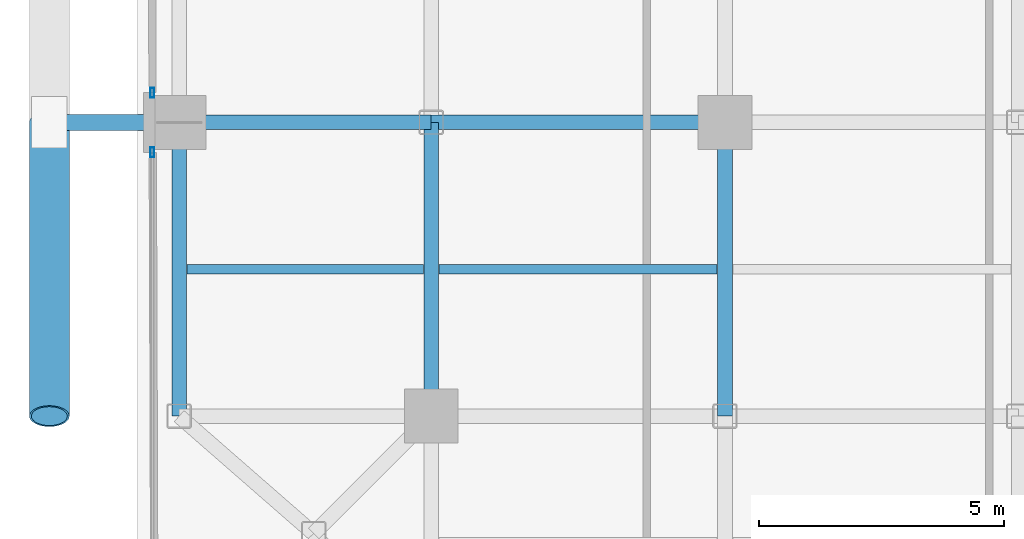
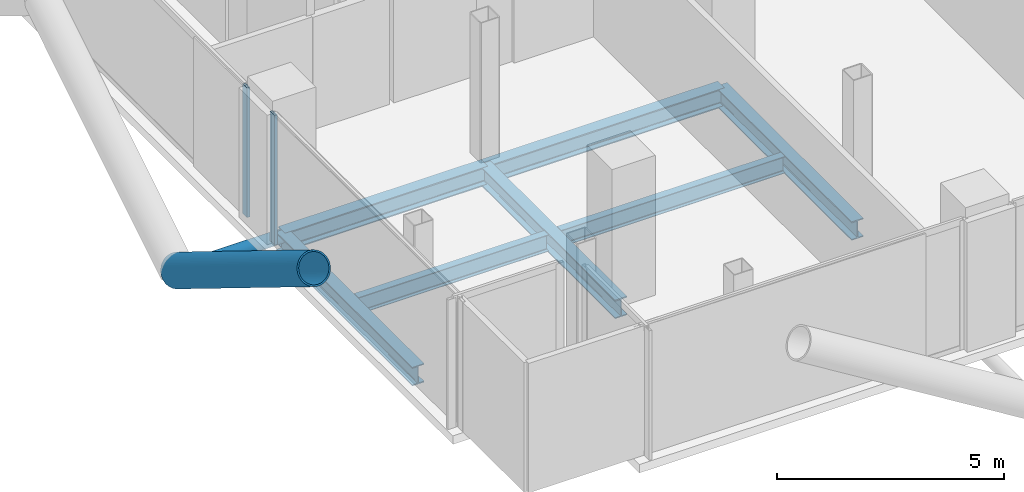
# One storey, part 3 of 28: 7 beams, 4 members, 2 elements without a shape of their own.
"""IFC4 building model written with IfcOpenShell, lengths in metres."""

from ifc_helpers import new_model, si_unit, direction, frame, origin, origin_2d, place, context, subcontext, project, spatial, hollow_rectangle, hollow_circle, i_section, extrude, material, layer, layer_set, material_profile, profile_set, type_object, element, aggregate, save


model = new_model("IFC4")

# Units and contexts
model_context = context("Model", 3, precision=1e-05, world=origin(), true_north=direction((0.0, 1.0)))
body_context = subcontext(model_context, "Body", "Model", "MODEL_VIEW")
ifc_project = project(units=[si_unit("LENGTHUNIT", "METRE"), si_unit("AREAUNIT", "SQUARE_METRE"), si_unit("VOLUMEUNIT", "CUBIC_METRE"), si_unit("PLANEANGLEUNIT", "RADIAN"), si_unit("MASSUNIT", "GRAM", prefix="KILO"), si_unit("THERMODYNAMICTEMPERATUREUNIT", "KELVIN"), si_unit("POWERUNIT", "WATT")], contexts=[model_context])

# Site, building, storey
site_placement = place(None, origin())
site = spatial("IfcSite", under=ifc_project, at=site_placement, CompositionType="ELEMENT")
building_placement = place(site_placement, origin())
building = spatial("IfcBuilding", under=site, at=building_placement, Name="Svarakhadi Broadcast Tower", CompositionType="ELEMENT")
storey_placement = place(building_placement, frame((0.0, 0.0, 107.10009765625)))
storey = spatial("IfcBuildingStorey", under=building, at=storey_placement, Name="L25", CompositionType="ELEMENT", Elevation=107.10009765625)

# Beams
ifc_material_1 = material(Name="Steel S355J2 (IS 2062 E350C)", Category="steel")
ifc_material_profile_1 = material_profile(ifc_material_1, i_section(OverallWidth=0.18994140625, OverallDepth=0.449951171875, WebThickness=0.009521484375, FlangeThickness=0.0146484375, FilletRadius=0.02099609375, at=origin_2d()), Name="NPB 450x190x78")
ifc_profile_set_1 = profile_set([ifc_material_profile_1], Name="Steel S355J2 (IS 2062 E350C)")
beam_type_1 = type_object("IfcBeamType", Name="Beam_NPB450", PredefinedType="BEAM", material=ifc_profile_set_1)
beam_1_placement = place(storey_placement, frame((1.010009765625, 9.0, -0.4501953125), z_axis=(1.0, 0.0, 0.0), x_axis=(0.0, 1.0, 0.0)))
element("IfcBeam", 1, at=beam_1_placement, inside=storey, type_object=beam_type_1, Name="L25 Secondary Composite Beam SB001", PredefinedType="BEAM", context=body_context, shape_type="SweptSolid", body=[
    extrude(i_section(OverallWidth=0.18994140625, OverallDepth=0.449951171875, WebThickness=0.009521484375, FlangeThickness=0.0146484375, FilletRadius=0.02099609375, at=origin_2d()), origin(), (0.0, 0.0, 1.0), 4.830078125),
])
beam_2_placement = place(storey_placement, frame((6.159912109375, 9.0, -0.4501953125), z_axis=(1.0, 0.0, 0.0), x_axis=(0.0, 1.0, 0.0)))
element("IfcBeam", 2, at=beam_2_placement, inside=storey, type_object=beam_type_1, Name="L25 Secondary Composite Beam SB007", PredefinedType="BEAM", context=body_context, shape_type="SweptSolid", body=[
    extrude(i_section(OverallWidth=0.18994140625, OverallDepth=0.449951171875, WebThickness=0.009521484375, FlangeThickness=0.0146484375, FilletRadius=0.02099609375, at=origin_2d()), origin(), (0.0, 0.0, 1.0), 5.68017578125),
])

# Curtain wall, member
ifc_material_2 = material(Name="Anodised Bronze Aluminium AA 6063-T6", Category="aluminium")
ifc_layer = layer(ifc_material_2, 0.199951171875)
ifc_layer_set = layer_set([ifc_layer], Name="Anodised Bronze Aluminium AA 6063-T6")
curtain_wall_type = type_object("IfcCurtainWallType", Name="CW_Sys_03", PredefinedType="NOTDEFINED", material=ifc_layer_set)
curtain_wall_1_placement = place(storey_placement, origin())
curtain_wall_1 = element("IfcCurtainWall", 3, at=curtain_wall_1_placement, inside=storey, type_object=curtain_wall_type, Name="L25 West Curtain Wall 02 Bay 1", PredefinedType="NOTDEFINED")
ifc_material_profile_2 = material_profile(ifc_material_2, hollow_rectangle(XDim=0.074951171875, YDim=0.199951171875, WallThickness=0.005615234375, at=origin_2d()), Name="ALU MULLION 200x75x6")
ifc_profile_set_2 = profile_set([ifc_material_profile_2], Name="Anodised Bronze Aluminium AA 6063-T6")
member_type_1 = type_object("IfcMemberType", Name="CW_Sys_03_Mul", PredefinedType="MULLION", material=ifc_profile_set_2)
member_1_placement = place(storey_placement, frame((0.300048828125, 11.392578125, 0.0), z_axis=(0.0, 0.0, 1.0), x_axis=(-1.0, 0.0, 0.0)))
member_1 = element("IfcMember", 4, at=member_1_placement, type_object=member_type_1, Name="CW-03 mullion 2", PredefinedType="MULLION", context=body_context, shape_type="SweptSolid", body=[
    extrude(hollow_rectangle(XDim=0.074951171875, YDim=0.199951171875, WallThickness=0.005615234375, at=origin_2d()), origin(), (0.0, 0.0, 1.0), 3.474853515625),
])
aggregate(curtain_wall_1, [member_1])

curtain_wall_2_placement = place(storey_placement, origin())
curtain_wall_2 = element("IfcCurtainWall", 5, at=curtain_wall_2_placement, inside=storey, type_object=curtain_wall_type, Name="L25 West Curtain Wall 02 Bay 2", PredefinedType="NOTDEFINED")
member_2_placement = place(storey_placement, frame((0.300048828125, 12.607421875, 0.0), z_axis=(0.0, 0.0, 1.0), x_axis=(-1.0, 0.0, 0.0)))
member_2 = element("IfcMember", 6, at=member_2_placement, type_object=member_type_1, Name="CW-03 mullion 1", PredefinedType="MULLION", context=body_context, shape_type="SweptSolid", body=[
    extrude(hollow_rectangle(XDim=0.074951171875, YDim=0.199951171875, WallThickness=0.005615234375, at=origin_2d()), origin(), (0.0, 0.0, 1.0), 3.474853515625),
])
aggregate(curtain_wall_2, [member_2])

# Members
ifc_material_3 = material(Name="Steel S460ML (IS 2062 E450BR)", Category="steel")
ifc_material_profile_3 = material_profile(ifc_material_3, hollow_circle(Radius=0.406494140625, WallThickness=0.0400390625, at=origin_2d()), Name="CHS 813x40")
ifc_profile_set_3 = profile_set([ifc_material_profile_3], Name="Steel S460ML (IS 2062 E450BR)")
member_type_2 = type_object("IfcMemberType", Name="Exo_Brace_CHS813", PredefinedType="BRACE", material=ifc_profile_set_3)
member_3_placement = place(storey_placement, frame((-1.800048828125, 12.0, -0.386962890625), z_axis=(0.0, -0.851173964427, 0.524883684525), x_axis=(1.0, 0.0, 0.0)))
element("IfcMember", 7, at=member_3_placement, inside=storey, type_object=member_type_2, Name="L25 Exposed Bronze Exoskeleton Diagonal W05", PredefinedType="BRACE", context=body_context, shape_type="SweptSolid", body=[
    extrude(hollow_circle(Radius=0.406494140625, WallThickness=0.0400390625, at=origin_2d()), origin(), (0.0, 0.0, 1.0), 7.049072265625),
])
ifc_material_profile_4 = material_profile(ifc_material_3, hollow_circle(Radius=0.161865234375, WallThickness=0.01611328125, at=origin_2d()), Name="CHS 323.9x16")
ifc_profile_set_4 = profile_set([ifc_material_profile_4], Name="Steel S460ML (IS 2062 E450BR)")
member_type_3 = type_object("IfcMemberType", Name="Exo_Radial_Strut_Z2", PredefinedType="STRUT", material=ifc_profile_set_4)
member_4_placement = place(storey_placement, frame((-1.800048828125, 12.0, -0.386962890625), z_axis=(1.0, 0.0, 0.0), x_axis=(0.0, 1.0, 0.0)))
element("IfcMember", 8, at=member_4_placement, inside=storey, type_object=member_type_3, Name="L25 Exoskeleton Radial Tie Strut W03", PredefinedType="STRUT", context=body_context, shape_type="SweptSolid", body=[
    extrude(hollow_circle(Radius=0.161865234375, WallThickness=0.01611328125, at=origin_2d()), origin(), (0.0, 0.0, 1.0), 2.650146484375),
])

# Beams
ifc_material_profile_5 = material_profile(ifc_material_1, i_section(OverallWidth=0.300048828125, OverallDepth=0.5, WebThickness=0.014404296875, FlangeThickness=0.028076171875, FilletRadius=0.027099609375, at=origin_2d()), Name="WPB 500x300x187")
ifc_profile_set_5 = profile_set([ifc_material_profile_5], Name="Steel S355J2 (IS 2062 E350C)")
beam_type_2 = type_object("IfcBeamType", Name="Girder_WPB500", PredefinedType="USERDEFINED", material=ifc_profile_set_5)
beam_3_placement = place(storey_placement, frame((0.85009765625, 12.0, -0.47509765625), z_axis=(1.0, 0.0, 0.0), x_axis=(0.0, 1.0, 0.0)))
element("IfcBeam", 9, at=beam_3_placement, inside=storey, type_object=beam_type_2, Name="L25 Primary E-W Girder G017", ObjectType="GIRDER", PredefinedType="USERDEFINED", context=body_context, shape_type="SweptSolid", body=[
    extrude(i_section(OverallWidth=0.300048828125, OverallDepth=0.5, WebThickness=0.014404296875, FlangeThickness=0.028076171875, FilletRadius=0.027099609375, at=origin_2d()), origin(), (0.0, 0.0, 1.0), 5.14990234375),
])
for number, where, z_axis, x_axis, name in (
    (10, (6.0, 12.0, -0.47509765625), (1.0, 0.0, 0.0), (0.0, 1.0, 0.0), "L25 Primary E-W Girder G018"),
    (11, (0.85009765625, 6.0, -0.47509765625), (0.0, 1.0, 0.0), (-1.0, 0.0, 0.0), "L25 Primary N-S Girder G040"),
    (12, (6.0, 6.0, -0.47509765625), (0.0, 1.0, 0.0), (-1.0, 0.0, 0.0), "L25 Primary N-S Girder G046"),
    (13, (12.0, 6.0, -0.47509765625), (0.0, 1.0, 0.0), (-1.0, 0.0, 0.0), "L25 Primary N-S Girder G052"),
):
    element("IfcBeam", number, at=place(storey_placement, frame(where, z_axis=z_axis, x_axis=x_axis)), inside=storey, type_object=beam_type_2, Name=name, ObjectType="GIRDER", PredefinedType="USERDEFINED", context=body_context, shape_type="SweptSolid", body=[
        extrude(i_section(OverallWidth=0.300048828125, OverallDepth=0.5, WebThickness=0.014404296875, FlangeThickness=0.028076171875, FilletRadius=0.027099609375, at=origin_2d()), origin(), (0.0, 0.0, 1.0), 6.0),
    ])

save(model, "model.ifc")
